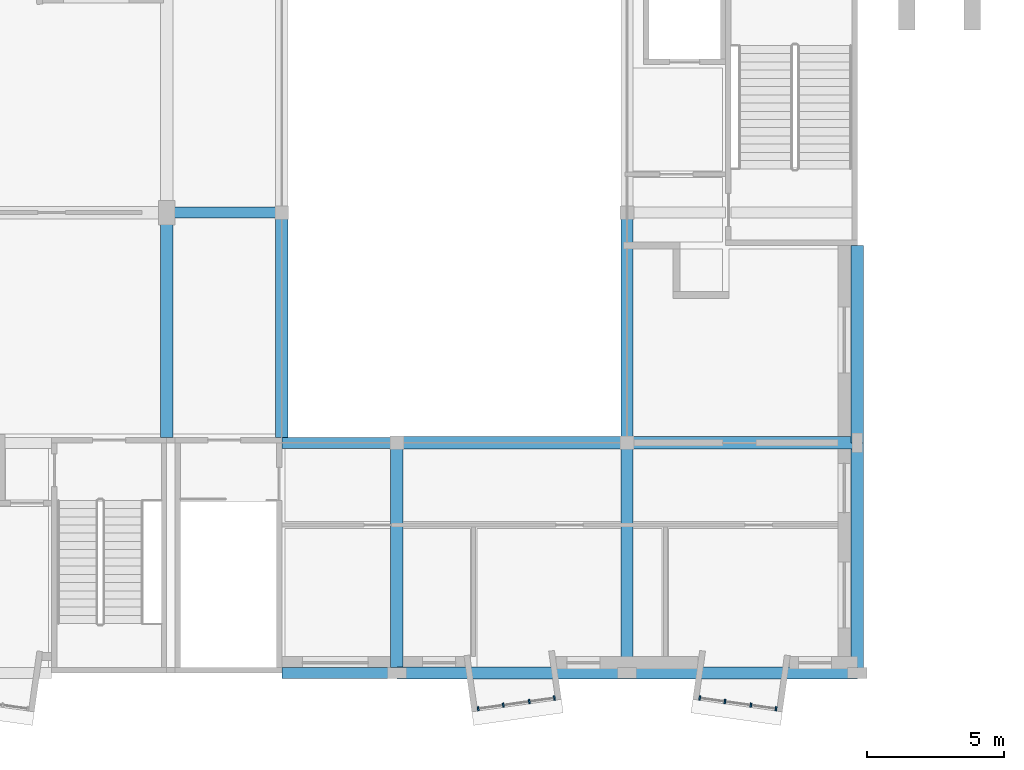
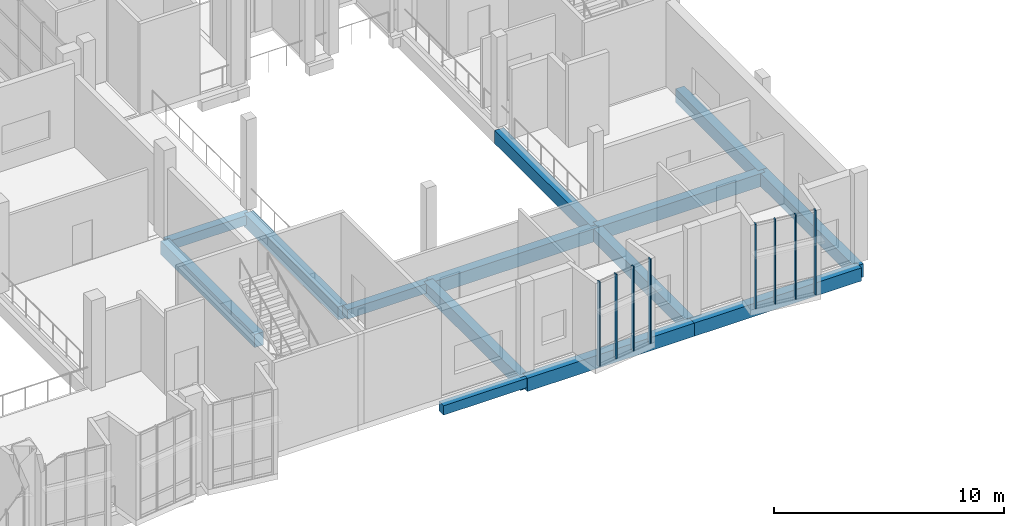
# One storey, part 5 of 100: 14 beams, 8 members, 2 elements without a shape of their own.
"""IFC4 building model written with IfcOpenShell, lengths in metres."""

from ifc_helpers import new_model, si_unit, direction, frame, origin, origin_2d, place, context, subcontext, project, spatial, rectangle, extrude, material, layer, layer_set, material_profile, profile_set, type_object, element, aggregate, save


model = new_model("IFC4")

# Units and contexts
model_context = context("Model", 3, precision=1e-05, world=origin(), true_north=direction((0.0, 1.0)))
body_context = subcontext(model_context, "Body", "Model", "MODEL_VIEW")
ifc_project = project(units=[si_unit("LENGTHUNIT", "METRE"), si_unit("AREAUNIT", "SQUARE_METRE"), si_unit("VOLUMEUNIT", "CUBIC_METRE"), si_unit("PLANEANGLEUNIT", "RADIAN"), si_unit("MASSUNIT", "GRAM", prefix="KILO")], contexts=[model_context])

# Site, building, storey
site_placement = place(None, origin())
site = spatial("IfcSite", under=ifc_project, at=site_placement, CompositionType="ELEMENT")
building_placement = place(site_placement, origin())
building = spatial("IfcBuilding", under=site, at=building_placement, Name="Kiln Court Media Centre", CompositionType="ELEMENT")
storey_placement = place(building_placement, frame((0.0, 0.0, 15.0)))
storey = spatial("IfcBuildingStorey", under=building, at=storey_placement, Name="L03", CompositionType="ELEMENT", Elevation=15.0)

# Curtain wall, members
ifc_material_1 = material(Name="Aluminium 6063-T6", Category="aluminium")
ifc_layer = layer(ifc_material_1, 0.1201171875)
ifc_layer_set = layer_set([ifc_layer], Name="Aluminium unitised bay curtain wall")
curtain_wall_type = type_object("IfcCurtainWallType", Name="Aluminium unitised bay curtain wall", PredefinedType="USERDEFINED", material=ifc_layer_set)
curtain_wall_1_placement = place(storey_placement, origin())
curtain_wall_1 = element("IfcCurtainWall", 1, at=curtain_wall_1_placement, inside=storey, type_object=curtain_wall_type, Name="BAY V6B-S-L03-07 front", ObjectType="UNITISED CURTAIN WALL", PredefinedType="USERDEFINED")
ifc_material_2 = material(Name="Aluminium 6063-T6", Category="aluminium")
ifc_material_profile_1 = material_profile(ifc_material_2, rectangle(XDim=0.06005859375, YDim=0.159912109375, at=origin_2d()), Name="Aluminium mullion 60x160")
ifc_profile_set_1 = profile_set([ifc_material_profile_1], Name="Aluminium 6063-T6")
member_type = type_object("IfcMemberType", Name="Aluminium mullion 60x160", PredefinedType="MULLION", material=ifc_profile_set_1)
member_1_placement = place(storey_placement, frame((44.964599609375, -1.3046875, 0.0), z_axis=(0.0, 0.0, 1.0), x_axis=(0.990269562409, 0.139162472554, 0.0)))
member_1 = element("IfcMember", 2, at=member_1_placement, type_object=member_type, Name="CW3-16 mullion 1", PredefinedType="MULLION", context=body_context, shape_type="SweptSolid", body=[
    extrude(rectangle(XDim=0.06005859375, YDim=0.159912109375, at=origin_2d()), origin(), (0.0, 0.0, 1.0), 4.5),
])
member_2_placement = place(storey_placement, frame((45.882080078125, -1.17578125, 0.0), z_axis=(0.0, 0.0, 1.0), x_axis=(0.990269562409, 0.139162472554, 0.0)))
member_2 = element("IfcMember", 3, at=member_2_placement, type_object=member_type, Name="CW3-16 mullion 2", PredefinedType="MULLION", context=body_context, shape_type="SweptSolid", body=[
    extrude(rectangle(XDim=0.06005859375, YDim=0.159912109375, at=origin_2d()), origin(), (0.0, 0.0, 1.0), 4.5),
])
member_3_placement = place(storey_placement, frame((46.82958984375, -1.04248046875, 0.0), z_axis=(0.0, 0.0, 1.0), x_axis=(0.990269562409, 0.139162472554, 0.0)))
member_3 = element("IfcMember", 4, at=member_3_placement, type_object=member_type, Name="CW3-16 mullion 3", PredefinedType="MULLION", context=body_context, shape_type="SweptSolid", body=[
    extrude(rectangle(XDim=0.06005859375, YDim=0.159912109375, at=origin_2d()), origin(), (0.0, 0.0, 1.0), 4.5),
])
member_4_placement = place(storey_placement, frame((47.7470703125, -0.91357421875, 0.0), z_axis=(0.0, 0.0, 1.0), x_axis=(0.990269562409, 0.139162472554, 0.0)))
member_4 = element("IfcMember", 5, at=member_4_placement, type_object=member_type, Name="CW3-16 mullion 4", PredefinedType="MULLION", context=body_context, shape_type="SweptSolid", body=[
    extrude(rectangle(XDim=0.06005859375, YDim=0.159912109375, at=origin_2d()), origin(), (0.0, 0.0, 1.0), 4.5),
])
aggregate(curtain_wall_1, [member_1, member_2, member_3, member_4])

curtain_wall_2_placement = place(storey_placement, origin())
curtain_wall_2 = element("IfcCurtainWall", 6, at=curtain_wall_2_placement, inside=storey, type_object=curtain_wall_type, Name="BAY V6B-S-L03-08 front", ObjectType="UNITISED CURTAIN WALL", PredefinedType="USERDEFINED")
member_5_placement = place(storey_placement, frame((53.052734375, -0.91357421875, 0.0), z_axis=(0.0, 0.0, 1.0), x_axis=(0.990269562409, -0.139162472554, 0.0)))
member_5 = element("IfcMember", 7, at=member_5_placement, type_object=member_type, Name="CW3-17 mullion 1", PredefinedType="MULLION", context=body_context, shape_type="SweptSolid", body=[
    extrude(rectangle(XDim=0.06005859375, YDim=0.159912109375, at=origin_2d()), origin(), (0.0, 0.0, 1.0), 4.5),
])
member_6_placement = place(storey_placement, frame((53.970458984375, -1.04248046875, 0.0), z_axis=(0.0, 0.0, 1.0), x_axis=(0.990269562409, -0.139162472554, 0.0)))
member_6 = element("IfcMember", 8, at=member_6_placement, type_object=member_type, Name="CW3-17 mullion 2", PredefinedType="MULLION", context=body_context, shape_type="SweptSolid", body=[
    extrude(rectangle(XDim=0.06005859375, YDim=0.159912109375, at=origin_2d()), origin(), (0.0, 0.0, 1.0), 4.5),
])
member_7_placement = place(storey_placement, frame((54.917724609375, -1.17578125, 0.0), z_axis=(0.0, 0.0, 1.0), x_axis=(0.990269562409, -0.139162472554, 0.0)))
member_7 = element("IfcMember", 9, at=member_7_placement, type_object=member_type, Name="CW3-17 mullion 3", PredefinedType="MULLION", context=body_context, shape_type="SweptSolid", body=[
    extrude(rectangle(XDim=0.06005859375, YDim=0.159912109375, at=origin_2d()), origin(), (0.0, 0.0, 1.0), 4.5),
])
member_8_placement = place(storey_placement, frame((55.83544921875, -1.3046875, 0.0), z_axis=(0.0, 0.0, 1.0), x_axis=(0.990269562409, -0.139162472554, 0.0)))
member_8 = element("IfcMember", 10, at=member_8_placement, type_object=member_type, Name="CW3-17 mullion 4", PredefinedType="MULLION", context=body_context, shape_type="SweptSolid", body=[
    extrude(rectangle(XDim=0.06005859375, YDim=0.159912109375, at=origin_2d()), origin(), (0.0, 0.0, 1.0), 4.5),
])
aggregate(curtain_wall_2, [member_5, member_6, member_7, member_8])

# Beams
ifc_material_3 = material(Name="Concrete C30/37", Category="concrete")
ifc_material_profile_2 = material_profile(ifc_material_3, rectangle(XDim=0.39990234375, YDim=0.5, at=origin_2d()), Name="RC 400x500")
ifc_profile_set_2 = profile_set([ifc_material_profile_2], Name="Concrete C30/37")
beam_type_1 = type_object("IfcBeamType", Name="Concrete C30/37 beam 400x500", PredefinedType="BEAM", material=ifc_profile_set_2)
for number, where, z_axis, x_axis, name in (
    (11, (37.800048828125, 0.0, -0.550048828125), (1.0, 0.0, 0.0), (0.0, 1.0, 0.0), "L03-B-1034"),
    (12, (37.800048828125, 8.39990234375, -0.550048828125), (1.0, 0.0, 0.0), (0.0, 1.0, 0.0), "L03-B-1037"),
):
    element("IfcBeam", number, at=place(storey_placement, frame(where, z_axis=z_axis, x_axis=x_axis)), inside=storey, type_object=beam_type_1, Name=name, PredefinedType="BEAM", context=body_context, shape_type="SweptSolid", body=[
        extrude(rectangle(XDim=0.39990234375, YDim=0.5, at=origin_2d()), origin(), (0.0, 0.0, 1.0), 4.199951171875),
    ])
beam_1_placement = place(storey_placement, frame((33.64990234375, 16.800048828125, -0.550048828125), z_axis=(1.0, 0.0, 0.0), x_axis=(0.0, 1.0, 0.0)))
element("IfcBeam", 13, at=beam_1_placement, inside=storey, type_object=beam_type_1, Name="L03-B-1040", PredefinedType="BEAM", context=body_context, shape_type="SweptSolid", body=[
    extrude(rectangle(XDim=0.39990234375, YDim=0.5, at=origin_2d()), origin(), (0.0, 0.0, 1.0), 4.151123046875),
])
ifc_material_4 = material(Name="Concrete C30/37", Category="concrete")
ifc_material_profile_3 = material_profile(ifc_material_4, rectangle(XDim=0.449951171875, YDim=0.699951171875, at=origin_2d()), Name="RC 450x700")
ifc_profile_set_3 = profile_set([ifc_material_profile_3], Name="Concrete C30/37")
beam_type_2 = type_object("IfcBeamType", Name="Concrete C30/37 beam 450x700", PredefinedType="BEAM", material=ifc_profile_set_3)
beam_2_placement = place(storey_placement, frame((33.60009765625, 8.60009765625, -0.64990234375), z_axis=(0.0, 1.0, 0.0), x_axis=(-1.0, 0.0, 0.0)))
element("IfcBeam", 14, at=beam_2_placement, inside=storey, type_object=beam_type_2, Name="L03-B-1008", PredefinedType="BEAM", context=body_context, shape_type="SweptSolid", body=[
    extrude(rectangle(XDim=0.449951171875, YDim=0.699951171875, at=origin_2d()), origin(), (0.0, 0.0, 1.0), 8.199951171875),
])
for number, where, z_axis, x_axis, name in (
    (15, (42.0, 0.0, -0.64990234375), (0.0, 1.0, 0.0), (-1.0, 0.0, 0.0), "L03-B-1028"),
    (16, (50.39990234375, 0.0, -0.64990234375), (0.0, 1.0, 0.0), (-1.0, 0.0, 0.0), "L03-B-1029"),
):
    element("IfcBeam", number, at=place(storey_placement, frame(where, z_axis=z_axis, x_axis=x_axis)), inside=storey, type_object=beam_type_2, Name=name, PredefinedType="BEAM", context=body_context, shape_type="SweptSolid", body=[
        extrude(rectangle(XDim=0.449951171875, YDim=0.699951171875, at=origin_2d()), origin(), (0.0, 0.0, 1.0), 8.39990234375),
    ])
beam_3_placement = place(storey_placement, frame((50.39990234375, 8.39990234375, -0.64990234375), z_axis=(0.0, 1.0, 0.0), x_axis=(-1.0, 0.0, 0.0)))
element("IfcBeam", 17, at=beam_3_placement, inside=storey, type_object=beam_type_2, Name="L03-B-1030", PredefinedType="BEAM", context=body_context, shape_type="SweptSolid", body=[
    extrude(rectangle(XDim=0.449951171875, YDim=0.699951171875, at=origin_2d()), origin(), (0.0, 0.0, 1.0), 8.400146484375),
])
beam_4_placement = place(storey_placement, frame((58.800048828125, 0.0, -0.64990234375), z_axis=(0.0, 1.0, 0.0), x_axis=(-1.0, 0.0, 0.0)))
element("IfcBeam", 18, at=beam_4_placement, inside=storey, type_object=beam_type_2, Name="L03-B-1032", PredefinedType="BEAM", context=body_context, shape_type="SweptSolid", body=[
    extrude(rectangle(XDim=0.449951171875, YDim=0.699951171875, at=origin_2d()), origin(), (0.0, 0.0, 1.0), 8.39990234375),
])
beam_5_placement = place(storey_placement, frame((58.800048828125, 8.39990234375, -0.64990234375), z_axis=(0.0, 1.0, 0.0), x_axis=(-1.0, 0.0, 0.0)))
element("IfcBeam", 19, at=beam_5_placement, inside=storey, type_object=beam_type_2, Name="L03-B-1033", PredefinedType="BEAM", context=body_context, shape_type="SweptSolid", body=[
    extrude(rectangle(XDim=0.449951171875, YDim=0.699951171875, at=origin_2d()), origin(), (0.0, 0.0, 1.0), 7.2001953125),
])
beam_6_placement = place(storey_placement, frame((42.0, 0.0, -0.64990234375), z_axis=(1.0, 0.0, 0.0), x_axis=(0.0, 1.0, 0.0)))
element("IfcBeam", 20, at=beam_6_placement, inside=storey, type_object=beam_type_2, Name="L03-B-1035", PredefinedType="BEAM", context=body_context, shape_type="SweptSolid", body=[
    extrude(rectangle(XDim=0.449951171875, YDim=0.699951171875, at=origin_2d()), origin(), (0.0, 0.0, 1.0), 8.39990234375),
])
beam_7_placement = place(storey_placement, frame((50.39990234375, 0.0, -0.64990234375), z_axis=(1.0, 0.0, 0.0), x_axis=(0.0, 1.0, 0.0)))
element("IfcBeam", 21, at=beam_7_placement, inside=storey, type_object=beam_type_2, Name="L03-B-1036", PredefinedType="BEAM", context=body_context, shape_type="SweptSolid", body=[
    extrude(rectangle(XDim=0.449951171875, YDim=0.699951171875, at=origin_2d()), origin(), (0.0, 0.0, 1.0), 8.400146484375),
])
beam_8_placement = place(storey_placement, frame((42.0, 8.39990234375, -0.64990234375), z_axis=(1.0, 0.0, 0.0), x_axis=(0.0, 1.0, 0.0)))
element("IfcBeam", 22, at=beam_8_placement, inside=storey, type_object=beam_type_2, Name="L03-B-1038", PredefinedType="BEAM", context=body_context, shape_type="SweptSolid", body=[
    extrude(rectangle(XDim=0.449951171875, YDim=0.699951171875, at=origin_2d()), origin(), (0.0, 0.0, 1.0), 8.39990234375),
])
beam_9_placement = place(storey_placement, frame((50.39990234375, 8.39990234375, -0.64990234375), z_axis=(1.0, 0.0, 0.0), x_axis=(0.0, 1.0, 0.0)))
element("IfcBeam", 23, at=beam_9_placement, inside=storey, type_object=beam_type_2, Name="L03-B-1039", PredefinedType="BEAM", context=body_context, shape_type="SweptSolid", body=[
    extrude(rectangle(XDim=0.449951171875, YDim=0.699951171875, at=origin_2d()), origin(), (0.0, 0.0, 1.0), 8.400146484375),
])
beam_10_placement = place(storey_placement, frame((37.800048828125, 16.800048828125, -0.64990234375), z_axis=(0.0, -1.0, 0.0), x_axis=(1.0, 0.0, 0.0)))
element("IfcBeam", 24, at=beam_10_placement, inside=storey, type_object=beam_type_2, Name="L03-B-1046", PredefinedType="BEAM", context=body_context, shape_type="SweptSolid", body=[
    extrude(rectangle(XDim=0.449951171875, YDim=0.699951171875, at=origin_2d()), origin(), (0.0, 0.0, 1.0), 8.199951171875),
])

save(model, "model.ifc")
